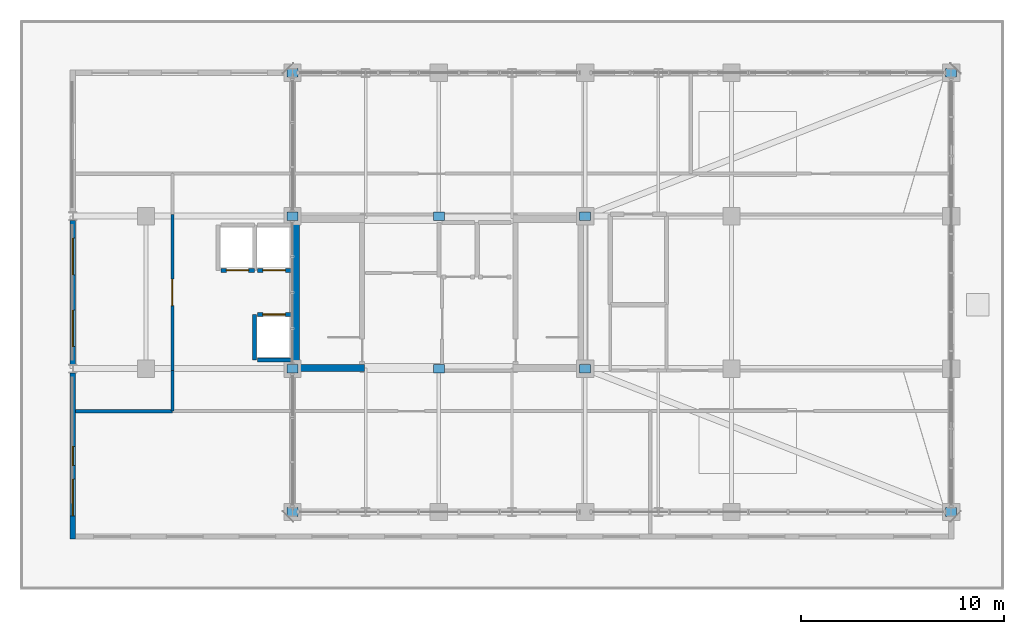
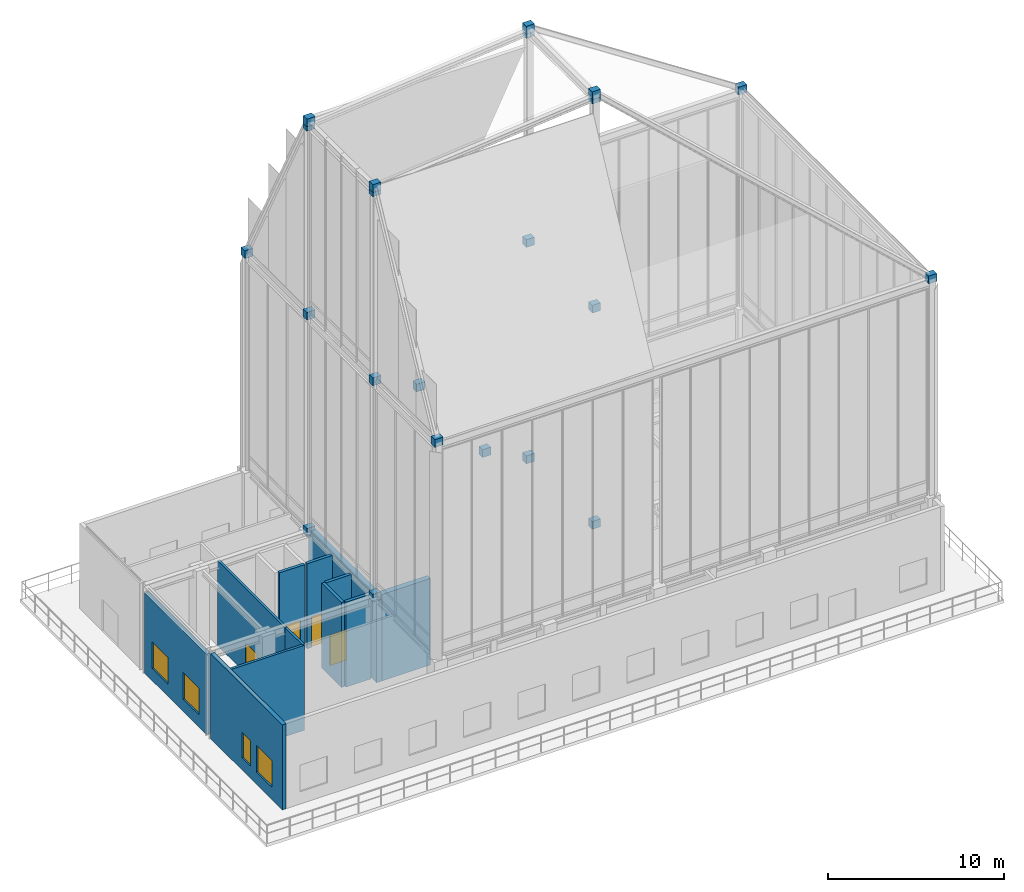
# One storey, part 45 of 49: 22 plates, 12 walls, 4 doors, 4 windows, 8 openings.
"""IFC4 building model written with IfcOpenShell, lengths in metres."""

from ifc_helpers import new_model, si_unit, direction, frame, frame_2d, origin, origin_2d, place, context, subcontext, project, spatial, rectangle, extrude, source, transform, mapped, material, layer, layer_set, type_object, element, fill, save


model = new_model("IFC4")

# Units and contexts
model_context = context("Model", 3, precision=1e-05, world=origin(), true_north=direction((0.0, 1.0)))
body_context = subcontext(model_context, "Body", "Model", "MODEL_VIEW")
ifc_project = project(units=[si_unit("LENGTHUNIT", "METRE"), si_unit("AREAUNIT", "SQUARE_METRE"), si_unit("VOLUMEUNIT", "CUBIC_METRE"), si_unit("PLANEANGLEUNIT", "RADIAN"), si_unit("MASSUNIT", "GRAM", prefix="KILO")], contexts=[model_context])

# Site, building, storey
site_placement = place(None, origin())
site = spatial("IfcSite", under=ifc_project, at=site_placement, CompositionType="ELEMENT")
building_placement = place(site_placement, origin())
building = spatial("IfcBuilding", under=site, at=building_placement, Name="Kaliganga Portal Commons", CompositionType="ELEMENT")
storey_placement = place(building_placement, frame((0.0, 0.0, 298.0)))
storey = spatial("IfcBuildingStorey", under=building, at=storey_placement, Name="L77", CompositionType="ELEMENT", Elevation=298.0)

# Plates
ifc_material_1 = material(Name="Structural steel S460M", Category="steel")
ifc_layer_1 = layer(ifc_material_1, 0.031982421875)
ifc_layer_set_1 = layer_set([ifc_layer_1], Name="Structural steel S460M")
plate_type = type_object("IfcPlateType", Name="PLT-GUSSET-32", PredefinedType="USERDEFINED", material=ifc_layer_set_1)
shared_shape = source(origin(), body_context, "Body", "SweptSolid", [
    extrude(rectangle(XDim=0.5400390625, YDim=0.419921875, at=origin_2d()), origin(), (0.0, 0.0, 1.0), 0.5400390625),
])
for number, where, z_axis, x_axis, name in (
    (1, (14.39990234375, 21.60009765625, 20.72998046875), (0.0, 0.0, 1.0), (1.0, 0.0, 0.0), "Crown Brace Gusset Plate CRG-01-0"),
    (2, (14.39990234375, 28.64990234375, 34.139892578125), (0.0, 0.0, 1.0), (1.0, 0.0, 0.0), "Crown Brace Gusset Plate CRG-01-1"),
    (3, (46.800048828125, 21.60009765625, 20.72998046875), (0.0, 0.0, 1.0), (1.0, 0.0, 0.0), "Crown Brace Gusset Plate CRG-02-0"),
    (4, (28.800048828125, 28.64990234375, 35.5400390625), (0.0, 0.0, 1.0), (1.0, 0.0, 0.0), "Crown Brace Gusset Plate CRG-02-1"),
    (5, (46.800048828125, 43.199951171875, 20.72998046875), (0.0, 0.0, 1.0), (1.0, 0.0, 0.0), "Crown Brace Gusset Plate CRG-03-0"),
    (6, (28.800048828125, 36.14990234375, 35.5400390625), (0.0, 0.0, 1.0), (1.0, 0.0, 0.0), "Crown Brace Gusset Plate CRG-03-1"),
    (7, (14.39990234375, 43.199951171875, 20.72998046875), (0.0, 0.0, 1.0), (1.0, 0.0, 0.0), "Crown Brace Gusset Plate CRG-04-0"),
    (8, (14.39990234375, 36.14990234375, 34.139892578125), (0.0, 0.0, 1.0), (1.0, 0.0, 0.0), "Crown Brace Gusset Plate CRG-04-1"),
    (9, (14.39990234375, 28.64990234375, 5.72998046875), (0.0, 0.0, 1.0), (1.0, 0.0, 0.0), "Crown Brace Gusset Plate CRG-05-0"),
    (10, (28.800048828125, 28.64990234375, 20.72998046875), (0.0, 0.0, 1.0), (1.0, 0.0, 0.0), "Crown Brace Gusset Plate CRG-05-1"),
    (11, (28.800048828125, 28.64990234375, 5.72998046875), (0.0, 0.0, 1.0), (1.0, 0.0, 0.0), "Crown Brace Gusset Plate CRG-06A-0"),
    (12, (21.60009765625, 28.64990234375, 13.22998046875), (0.0, 0.0, 1.0), (1.0, 0.0, 0.0), "Crown Brace Gusset Plate CRG-06A-1"),
    (13, (14.39990234375, 28.64990234375, 20.72998046875), (0.0, 0.0, 1.0), (1.0, 0.0, 0.0), "Crown Brace Gusset Plate CRG-06B-1"),
    (14, (14.39990234375, 36.14990234375, 5.72998046875), (0.0, 0.0, 1.0), (1.0, 0.0, 0.0), "Crown Brace Gusset Plate CRG-07-0"),
    (15, (28.800048828125, 36.14990234375, 20.72998046875), (0.0, 0.0, 1.0), (1.0, 0.0, 0.0), "Crown Brace Gusset Plate CRG-07-1"),
    (16, (28.800048828125, 36.14990234375, 5.72998046875), (0.0, 0.0, 1.0), (1.0, 0.0, 0.0), "Crown Brace Gusset Plate CRG-08A-0"),
    (17, (21.60009765625, 36.14990234375, 13.22998046875), (0.0, 0.0, 1.0), (1.0, 0.0, 0.0), "Crown Brace Gusset Plate CRG-08A-1"),
    (18, (14.39990234375, 36.14990234375, 20.72998046875), (0.0, 0.0, 1.0), (1.0, 0.0, 0.0), "Crown Brace Gusset Plate CRG-08B-1"),
    (19, (14.39990234375, 28.64990234375, 33.840087890625), (0.0, 0.0, 1.0), (1.0, 0.0, 0.0), "Crown Brace Gusset Plate CRG-09S-0"),
    (20, (28.800048828125, 28.64990234375, 35.239990234375), (0.0, 0.0, 1.0), (1.0, 0.0, 0.0), "Crown Brace Gusset Plate CRG-09S-1"),
    (21, (14.39990234375, 36.14990234375, 33.840087890625), (0.0, 0.0, 1.0), (1.0, 0.0, 0.0), "Crown Brace Gusset Plate CRG-09N-0"),
    (22, (28.800048828125, 36.14990234375, 35.239990234375), (0.0, 0.0, 1.0), (1.0, 0.0, 0.0), "Crown Brace Gusset Plate CRG-09N-1"),
):
    element("IfcPlate", number, at=place(storey_placement, frame(where, z_axis=z_axis, x_axis=x_axis)), inside=storey, type_object=plate_type, Name=name, ObjectType="GUSSET PLATE", PredefinedType="USERDEFINED", context=body_context, shape_type="MappedRepresentation", body=[
        mapped(shared_shape, transform((0.0, 0.0, 0.0), x_axis=(1.0, 0.0, 0.0), y_axis=(0.0, 1.0, 0.0), z_axis=(0.0, 0.0, 1.0), scale=1.0)),
    ])

# Walls
ifc_material_2 = material(Name="Concrete C50/60", Category="concrete")
ifc_layer_2 = layer(ifc_material_2, 0.35009765625)
ifc_layer_set_2 = layer_set([ifc_layer_2], Name="Concrete C50/60")
wall_type_1 = type_object("IfcWallType", Name="WL-CORE-350", PredefinedType="SHEAR", material=ifc_layer_set_2)
wall_1_placement = place(storey_placement, frame((14.574951171875, 28.5, 0.0), z_axis=(0.0, 0.0, 1.0), x_axis=(0.0, 1.0, 0.0)))
element("IfcWall", 23, at=wall_1_placement, inside=storey, type_object=wall_type_1, Name="Core A West Shear Wall L77", PredefinedType="SHEAR", context=body_context, shape_type="SweptSolid", body=[
    extrude(rectangle(XDim=7.699951171875, YDim=0.35009765625, at=frame_2d((3.85009765625, 0.0))), origin(), (0.0, 0.0, 1.0), 6.0),
])
wall_2_placement = place(storey_placement, frame((14.75, 28.675048828125, 0.0), z_axis=(0.0, 0.0, 1.0), x_axis=(1.0, 0.0, 0.0)))
element("IfcWall", 24, at=wall_2_placement, inside=storey, type_object=wall_type_1, Name="Core A S-West Shear Wall L77", PredefinedType="SHEAR", context=body_context, shape_type="SweptSolid", body=[
    extrude(rectangle(XDim=3.199951171875, YDim=0.35009765625, at=frame_2d((1.60009765625, 0.0))), origin(), (0.0, 0.0, 1.0), 6.0),
])

# Wall, openings, windows
ifc_material_3 = material(Name="Insulated Aluminium-Clad Spandrel Assembly", Category="aluminium")
ifc_layer_3 = layer(ifc_material_3, 0.260009765625)
ifc_layer_set_3 = layer_set([ifc_layer_3], Name="Insulated Aluminium-Clad Spandrel Assembly")
wall_type_2 = type_object("IfcWallType", Name="WL-EXT-SPAND-260", PredefinedType="STANDARD", material=ifc_layer_set_3)
wall_3_placement = place(storey_placement, frame((3.60009765625, 28.862060546875, 0.0), z_axis=(0.0, 0.0, 1.0), x_axis=(0.0, 1.0, 0.0)))
wall_3 = element("IfcWall", 25, at=wall_3_placement, inside=storey, type_object=wall_type_2, Name="Exterior Envelope Wall L77 P1-E03-S2", PredefinedType="STANDARD", context=body_context, shape_type="SweptSolid", body=[
    extrude(rectangle(XDim=7.075927734375, YDim=0.260009765625, at=frame_2d((3.5380859375, 0.0))), origin(), (0.0, 0.0, 1.0), 5.580078125),
])
opening_1_placement = place(wall_3_placement, frame((0.868896484375, 0.0, 0.85009765625)))
opening_1 = element("IfcOpeningElement", 26, at=opening_1_placement, cuts=wall_3, Name="Opening W-01", PredefinedType="OPENING", context=body_context, shape_type="SweptSolid", body=[
    extrude(rectangle(XDim=1.800048828125, YDim=1.85009765625, at=frame_2d((0.89990234375, 0.925048828125))), frame((0.0, 0.14013671875, 0.0), z_axis=(0.0, -1.0, 0.0), x_axis=(1.0, 0.0, 0.0)), (0.0, 0.0, 1.0), 0.280029296875),
])
opening_2_placement = place(wall_3_placement, frame((4.406982421875, 0.0, 0.85009765625)))
opening_2 = element("IfcOpeningElement", 27, at=opening_2_placement, cuts=wall_3, Name="Opening W-01", PredefinedType="OPENING", context=body_context, shape_type="SweptSolid", body=[
    extrude(rectangle(XDim=1.800048828125, YDim=1.85009765625, at=frame_2d((0.89990234375, 0.925048828125))), frame((0.0, 0.14013671875, 0.0), z_axis=(0.0, -1.0, 0.0), x_axis=(1.0, 0.0, 0.0)), (0.0, 0.0, 1.0), 0.280029296875),
])
ifc_material_4 = material(Name="Thermally Broken Aluminium and Low-E Double Glazing", Category="aluminium")
window_type_1 = type_object("IfcWindowType", Name="WIN-STD-1800", PartitioningType="DOUBLE_PANEL_VERTICAL", PredefinedType="WINDOW", material=ifc_material_4)
window_1_placement = place(opening_1_placement, origin())
window_1 = element("IfcWindow", 28, at=window_1_placement, inside=storey, type_object=window_type_1, Name="Facade Window L77-P1E03S2-00", OverallHeight=1.85009765625, OverallWidth=1.800048828125, PartitioningType="SINGLE_PANEL", PredefinedType="WINDOW", context=body_context, shape_type="SweptSolid", body=[
    extrude(rectangle(XDim=1.800048828125, YDim=1.85009765625, at=frame_2d((0.89990234375, 0.925048828125))), frame((0.0, 0.030029296875, 0.0), z_axis=(0.0, -1.0, 0.0), x_axis=(1.0, 0.0, 0.0)), (0.0, 0.0, 1.0), 0.06005859375),
])
fill(opening_1, window_1)
window_2_placement = place(opening_2_placement, origin())
window_2 = element("IfcWindow", 29, at=window_2_placement, inside=storey, type_object=window_type_1, Name="Facade Window L77-P1E03S2-01", OverallHeight=1.85009765625, OverallWidth=1.800048828125, PartitioningType="SINGLE_PANEL", PredefinedType="WINDOW", context=body_context, shape_type="SweptSolid", body=[
    extrude(rectangle(XDim=1.800048828125, YDim=1.85009765625, at=frame_2d((0.89990234375, 0.925048828125))), frame((0.0, 0.030029296875, 0.0), z_axis=(0.0, -1.0, 0.0), x_axis=(1.0, 0.0, 0.0)), (0.0, 0.0, 1.0), 0.06005859375),
])
fill(opening_2, window_2)

wall_4_placement = place(storey_placement, frame((3.60009765625, 20.27001953125, 0.0), z_axis=(0.0, 0.0, 1.0), x_axis=(0.0, 1.0, 0.0)))
wall_4 = element("IfcWall", 30, at=wall_4_placement, inside=storey, type_object=wall_type_2, Name="Exterior Envelope Wall L77 P1-E03-S3", PredefinedType="STANDARD", context=body_context, shape_type="SweptSolid", body=[
    extrude(rectangle(XDim=8.16796875, YDim=0.260009765625, at=frame_2d((4.083984375, 0.0))), origin(), (0.0, 0.0, 1.0), 5.89990234375),
])
opening_3_placement = place(wall_4_placement, frame((1.14208984375, 0.0, 0.85009765625)))
opening_3 = element("IfcOpeningElement", 31, at=opening_3_placement, cuts=wall_4, Name="Opening W-01", PredefinedType="OPENING", context=body_context, shape_type="SweptSolid", body=[
    extrude(rectangle(XDim=1.800048828125, YDim=1.85009765625, at=frame_2d((0.89990234375, 0.925048828125))), frame((0.0, 0.14013671875, 0.0), z_axis=(0.0, -1.0, 0.0), x_axis=(1.0, 0.0, 0.0)), (0.0, 0.0, 1.0), 0.280029296875),
])
opening_4_placement = place(wall_4_placement, frame((3.60888671875, 0.0, 0.85009765625)))
opening_4 = element("IfcOpeningElement", 32, at=opening_4_placement, cuts=wall_4, Name="Opening W-04", PredefinedType="OPENING", context=body_context, shape_type="SweptSolid", body=[
    extrude(rectangle(XDim=0.949951171875, YDim=1.75, at=frame_2d((0.47509765625, 0.875))), frame((0.0, 0.14013671875, 0.0), z_axis=(0.0, -1.0, 0.0), x_axis=(1.0, 0.0, 0.0)), (0.0, 0.0, 1.0), 0.280029296875),
])
window_type_2 = type_object("IfcWindowType", Name="WIN-NARROW-950", PartitioningType="SINGLE_PANEL", PredefinedType="WINDOW", material=ifc_material_4)
window_3_placement = place(opening_4_placement, origin())
window_3 = element("IfcWindow", 33, at=window_3_placement, inside=storey, type_object=window_type_2, Name="Facade Window L77-P1E03S3-N0", OverallHeight=1.75, OverallWidth=0.949951171875, PartitioningType="SINGLE_PANEL", PredefinedType="WINDOW", context=body_context, shape_type="SweptSolid", body=[
    extrude(rectangle(XDim=0.949951171875, YDim=1.75, at=frame_2d((0.47509765625, 0.875))), frame((0.0, 0.030029296875, 0.0), z_axis=(0.0, -1.0, 0.0), x_axis=(1.0, 0.0, 0.0)), (0.0, 0.0, 1.0), 0.06005859375),
])
fill(opening_4, window_3)
window_4_placement = place(opening_3_placement, origin())
window_4 = element("IfcWindow", 34, at=window_4_placement, inside=storey, type_object=window_type_1, Name="Facade Window L77-P1E03S3-00", OverallHeight=1.85009765625, OverallWidth=1.800048828125, PartitioningType="SINGLE_PANEL", PredefinedType="WINDOW", context=body_context, shape_type="SweptSolid", body=[
    extrude(rectangle(XDim=1.800048828125, YDim=1.85009765625, at=frame_2d((0.89990234375, 0.925048828125))), frame((0.0, 0.030029296875, 0.0), z_axis=(0.0, -1.0, 0.0), x_axis=(1.0, 0.0, 0.0)), (0.0, 0.0, 1.0), 0.06005859375),
])
fill(opening_3, window_4)

# Wall, opening, door
ifc_material_5 = material(Name="Fire-Rated Gypsum Board on Steel Stud", Category="steel")
ifc_layer_4 = layer(ifc_material_5, 0.14990234375)
ifc_layer_set_4 = layer_set([ifc_layer_4], Name="Fire-Rated Gypsum Board on Steel Stud")
wall_type_3 = type_object("IfcWallType", Name="WL-PART-CORR-150", PredefinedType="PARTITIONING", material=ifc_layer_set_4)
wall_5_placement = place(storey_placement, frame((8.5, 28.56005859375, 0.0), z_axis=(0.0, 0.0, 1.0), x_axis=(0.0, 1.0, 0.0)))
wall_5 = element("IfcWall", 35, at=wall_5_placement, inside=storey, type_object=wall_type_3, Name="Interior Partition L77-009", PredefinedType="PARTITIONING", context=body_context, shape_type="SweptSolid", body=[
    extrude(rectangle(XDim=7.679931640625, YDim=0.14990234375, at=frame_2d((3.83984375, 0.0))), origin(), (0.0, 0.0, 1.0), 5.89990234375),
])
opening_5_placement = place(wall_5_placement, frame((3.18994140625, 0.0, 0.0)))
opening_5 = element("IfcOpeningElement", 36, at=opening_5_placement, cuts=wall_5, Name="Opening RD-03", PredefinedType="OPENING", context=body_context, shape_type="SweptSolid", body=[
    extrude(rectangle(XDim=1.300048828125, YDim=2.1201171875, at=frame_2d((0.64990234375, 1.06005859375))), frame((0.0, 0.0849609375, 0.0), z_axis=(0.0, -1.0, 0.0), x_axis=(1.0, 0.0, 0.0)), (0.0, 0.0, 1.0), 0.169921875),
])
ifc_material_6 = material(Name="Glazed Timber Seminar Vision Door", Category="wood")
door_type_1 = type_object("IfcDoorType", Name="DR-STUDY-1300", OperationType="DOUBLE_DOOR_SINGLE_SWING", PredefinedType="DOOR", material=ifc_material_6)
door_1_placement = place(opening_5_placement, origin())
door_1 = element("IfcDoor", 37, at=door_1_placement, inside=storey, type_object=door_type_1, Name="Interior Door L77-OBS_W", OperationType="DOUBLE_DOOR_SINGLE_SWING", OverallHeight=2.1201171875, OverallWidth=1.300048828125, PredefinedType="DOOR", context=body_context, shape_type="SweptSolid", body=[
    extrude(rectangle(XDim=1.300048828125, YDim=2.1201171875, at=frame_2d((0.64990234375, 1.06005859375))), frame((0.0, 0.02490234375, 0.0), z_axis=(0.0, -1.0, 0.0), x_axis=(1.0, 0.0, 0.0)), (0.0, 0.0, 1.0), 0.050048828125),
])
fill(opening_5, door_1)

# Walls
wall_6_placement = place(storey_placement, frame((8.5, 26.56005859375, 0.0), z_axis=(0.0, 0.0, 1.0), x_axis=(0.0, 1.0, 0.0)))
element("IfcWall", 38, at=wall_6_placement, inside=storey, type_object=wall_type_3, Name="Interior Partition L77-014", PredefinedType="PARTITIONING", context=body_context, shape_type="SweptSolid", body=[
    extrude(rectangle(XDim=2.0, YDim=0.14990234375, at=frame_2d((1.0, 0.0))), origin(), (0.0, 0.0, 1.0), 5.89990234375),
])
ifc_material_7 = material(Name="Twin-Stud Acoustic Gypsum Partition", Category="gypsum")
ifc_layer_5 = layer(ifc_material_7, 0.1650390625)
ifc_layer_set_5 = layer_set([ifc_layer_5], Name="Twin-Stud Acoustic Gypsum Partition")
wall_type_4 = type_object("IfcWallType", Name="WL-PART-UNIT-165", PredefinedType="PARTITIONING", material=ifc_layer_set_5)
wall_7_placement = place(storey_placement, frame((3.73193359375, 26.56005859375, 0.0), z_axis=(0.0, 0.0, 1.0), x_axis=(1.0, 0.0, 0.0)))
element("IfcWall", 39, at=wall_7_placement, inside=storey, type_object=wall_type_4, Name="Interior Partition L77-018", PredefinedType="PARTITIONING", context=body_context, shape_type="SweptSolid", body=[
    extrude(rectangle(XDim=4.76806640625, YDim=0.1650390625, at=frame_2d((2.384033203125, 0.0))), origin(), (0.0, 0.0, 1.0), 5.89990234375),
])

# Wall, opening, door
ifc_material_8 = material(Name="Fire-Rated Shaftwall Masonry Assembly", Category="masonry")
ifc_layer_6 = layer(ifc_material_8, 0.199951171875)
ifc_layer_set_6 = layer_set([ifc_layer_6], Name="Fire-Rated Shaftwall Masonry Assembly")
wall_type_5 = type_object("IfcWallType", Name="WL-SHAFT-200", PredefinedType="PARTITIONING", material=ifc_layer_set_6)
wall_8_placement = place(storey_placement, frame((12.675048828125, 33.485107421875, 0.0), z_axis=(0.0, 0.0, 1.0), x_axis=(1.0, 0.0, 0.0)))
wall_8 = element("IfcWall", 40, at=wall_8_placement, inside=storey, type_object=wall_type_5, Name="Lift PL-A3 Hoistway Shaft Wall L77-S", PredefinedType="PARTITIONING", context=body_context, shape_type="SweptSolid", body=[
    extrude(rectangle(XDim=1.64990234375, YDim=0.199951171875, at=frame_2d((0.824951171875, 0.0))), origin(), (0.0, 0.0, 1.0), 5.89990234375),
])
opening_6_placement = place(wall_8_placement, frame((0.27490234375, 0.0, 0.0)))
opening_6 = element("IfcOpeningElement", 41, at=opening_6_placement, cuts=wall_8, Name="Opening LD-01", PredefinedType="OPENING", context=body_context, shape_type="SweptSolid", body=[
    extrude(rectangle(XDim=1.10009765625, YDim=2.1201171875, at=frame_2d((0.550048828125, 1.06005859375))), frame((0.0, 0.10986328125, 0.0), z_axis=(0.0, -1.0, 0.0), x_axis=(1.0, 0.0, 0.0)), (0.0, 0.0, 1.0), 0.219970703125),
])
ifc_material_9 = material(Name="Brushed Stainless Steel 316 Lift Landing Door", Category="steel")
door_type_2 = type_object("IfcDoorType", Name="DR-LIFT-1100", OperationType="SLIDING_TO_LEFT", PredefinedType="DOOR", material=ifc_material_9)
door_2_placement = place(opening_6_placement, origin())
door_2 = element("IfcDoor", 42, at=door_2_placement, inside=storey, type_object=door_type_2, Name="Lift PL-A3 Sliding Landing Door L77", OperationType="SLIDING_TO_LEFT", OverallHeight=2.1201171875, OverallWidth=1.10009765625, PredefinedType="DOOR", context=body_context, shape_type="SweptSolid", body=[
    extrude(rectangle(XDim=1.10009765625, YDim=2.1201171875, at=frame_2d((0.550048828125, 1.06005859375))), frame((0.0, 0.02490234375, 0.0), z_axis=(0.0, -1.0, 0.0), x_axis=(1.0, 0.0, 0.0)), (0.0, 0.0, 1.0), 0.050048828125),
])
fill(opening_6, door_2)

# Wall
wall_9_placement = place(storey_placement, frame((12.675048828125, 29.0849609375, 0.0), z_axis=(0.0, 0.0, 1.0), x_axis=(1.0, 0.0, 0.0)))
element("IfcWall", 43, at=wall_9_placement, inside=storey, type_object=wall_type_5, Name="Lift PL-A4 Hoistway Shaft Wall L77-S", PredefinedType="PARTITIONING", context=body_context, shape_type="SweptSolid", body=[
    extrude(rectangle(XDim=1.64990234375, YDim=0.199951171875, at=frame_2d((0.824951171875, 0.0))), origin(), (0.0, 0.0, 1.0), 5.89990234375),
])

# Wall, opening, door
wall_10_placement = place(storey_placement, frame((12.675048828125, 31.31494140625, 0.0), z_axis=(0.0, 0.0, 1.0), x_axis=(1.0, 0.0, 0.0)))
wall_10 = element("IfcWall", 44, at=wall_10_placement, inside=storey, type_object=wall_type_5, Name="Lift PL-A4 Hoistway Shaft Wall L77-N", PredefinedType="PARTITIONING", context=body_context, shape_type="SweptSolid", body=[
    extrude(rectangle(XDim=1.64990234375, YDim=0.199951171875, at=frame_2d((0.824951171875, 0.0))), origin(), (0.0, 0.0, 1.0), 5.89990234375),
])
opening_7_placement = place(wall_10_placement, frame((0.27490234375, 0.0, 0.0)))
opening_7 = element("IfcOpeningElement", 45, at=opening_7_placement, cuts=wall_10, Name="Opening LD-01", PredefinedType="OPENING", context=body_context, shape_type="SweptSolid", body=[
    extrude(rectangle(XDim=1.10009765625, YDim=2.1201171875, at=frame_2d((0.550048828125, 1.06005859375))), frame((0.0, 0.10986328125, 0.0), z_axis=(0.0, -1.0, 0.0), x_axis=(1.0, 0.0, 0.0)), (0.0, 0.0, 1.0), 0.219970703125),
])
door_3_placement = place(opening_7_placement, origin())
door_3 = element("IfcDoor", 46, at=door_3_placement, inside=storey, type_object=door_type_2, Name="Lift PL-A4 Sliding Landing Door L77", OperationType="SLIDING_TO_LEFT", OverallHeight=2.1201171875, OverallWidth=1.10009765625, PredefinedType="DOOR", context=body_context, shape_type="SweptSolid", body=[
    extrude(rectangle(XDim=1.10009765625, YDim=2.1201171875, at=frame_2d((0.550048828125, 1.06005859375))), frame((0.0, 0.02490234375, 0.0), z_axis=(0.0, -1.0, 0.0), x_axis=(1.0, 0.0, 0.0)), (0.0, 0.0, 1.0), 0.050048828125),
])
fill(opening_7, door_3)

# Wall
wall_11_placement = place(storey_placement, frame((12.534912109375, 29.0849609375, 0.0), z_axis=(0.0, 0.0, 1.0), x_axis=(0.0, 1.0, 0.0)))
element("IfcWall", 47, at=wall_11_placement, inside=storey, type_object=wall_type_5, Name="Lift PL-A4 Hoistway Shaft Wall L77-W", PredefinedType="PARTITIONING", context=body_context, shape_type="SweptSolid", body=[
    extrude(rectangle(XDim=2.22998046875, YDim=0.199951171875, at=frame_2d((1.114990234375, 0.0))), origin(), (0.0, 0.0, 1.0), 5.89990234375),
])

# Wall, opening, door
wall_12_placement = place(storey_placement, frame((10.875, 33.485107421875, 0.0), z_axis=(0.0, 0.0, 1.0), x_axis=(1.0, 0.0, 0.0)))
wall_12 = element("IfcWall", 48, at=wall_12_placement, inside=storey, type_object=wall_type_5, Name="Lift PL-OBS Hoistway Shaft Wall L77-S", PredefinedType="PARTITIONING", context=body_context, shape_type="SweptSolid", body=[
    extrude(rectangle(XDim=1.64990234375, YDim=0.199951171875, at=frame_2d((0.824951171875, 0.0))), origin(), (0.0, 0.0, 1.0), 5.89990234375),
])
opening_8_placement = place(wall_12_placement, frame((0.27490234375, 0.0, 0.0)))
opening_8 = element("IfcOpeningElement", 49, at=opening_8_placement, cuts=wall_12, Name="Opening LD-01", PredefinedType="OPENING", context=body_context, shape_type="SweptSolid", body=[
    extrude(rectangle(XDim=1.10009765625, YDim=2.1201171875, at=frame_2d((0.550048828125, 1.06005859375))), frame((0.0, 0.10986328125, 0.0), z_axis=(0.0, -1.0, 0.0), x_axis=(1.0, 0.0, 0.0)), (0.0, 0.0, 1.0), 0.219970703125),
])
door_4_placement = place(opening_8_placement, origin())
door_4 = element("IfcDoor", 50, at=door_4_placement, inside=storey, type_object=door_type_2, Name="Lift PL-OBS Sliding Landing Door L77", OperationType="SLIDING_TO_LEFT", OverallHeight=2.1201171875, OverallWidth=1.10009765625, PredefinedType="DOOR", context=body_context, shape_type="SweptSolid", body=[
    extrude(rectangle(XDim=1.10009765625, YDim=2.1201171875, at=frame_2d((0.550048828125, 1.06005859375))), frame((0.0, 0.02490234375, 0.0), z_axis=(0.0, -1.0, 0.0), x_axis=(1.0, 0.0, 0.0)), (0.0, 0.0, 1.0), 0.050048828125),
])
fill(opening_8, door_4)

save(model, "model.ifc")
